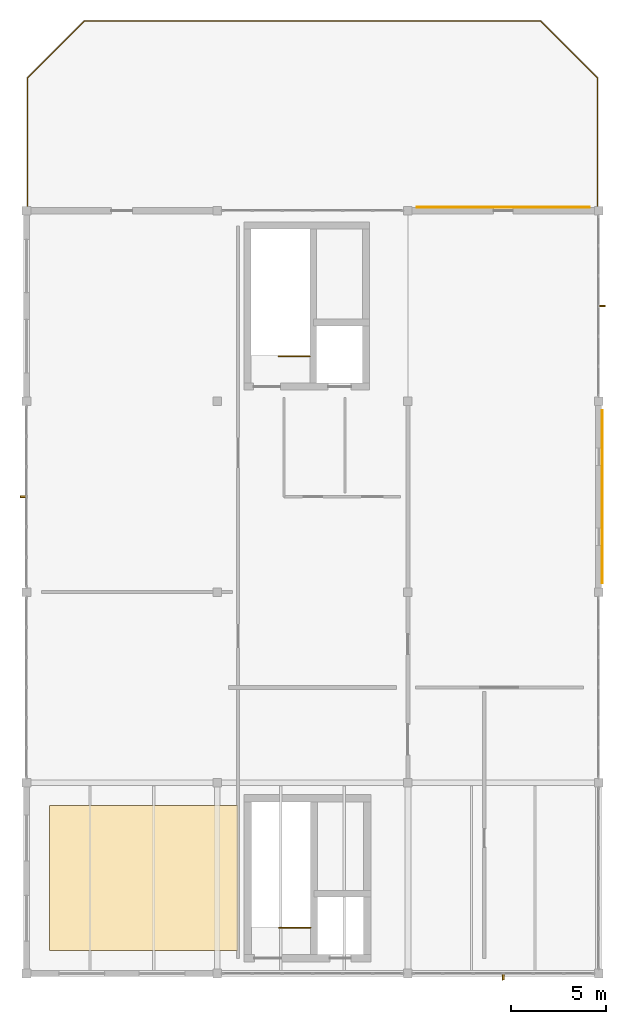
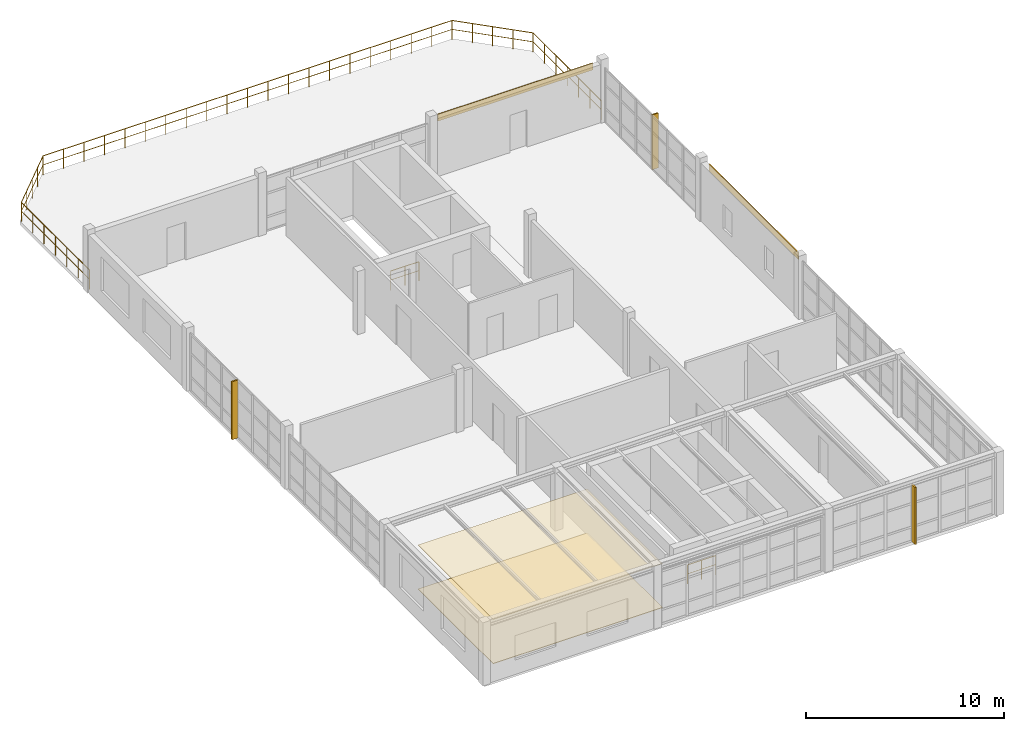
# One storey, part 11 of 11: 4 coverings, 3 railings, 3 shading devices.
"""IFC4 building model written with IfcOpenShell, lengths in metres."""

from ifc_helpers import new_model, si_unit, direction, frame, origin, origin_2d, place, context, subcontext, project, spatial, polyline, rectangle, circle, outline, extrude, material, layer, layer_set, type_object, element, save


model = new_model("IFC4")

# Units and contexts
model_context = context("Model", 3, precision=1e-05, world=origin(), true_north=direction((0.0, 1.0)))
body_context = subcontext(model_context, "Body", "Model", "MODEL_VIEW")
ifc_project = project(units=[si_unit("LENGTHUNIT", "METRE"), si_unit("AREAUNIT", "SQUARE_METRE"), si_unit("VOLUMEUNIT", "CUBIC_METRE"), si_unit("PLANEANGLEUNIT", "RADIAN"), si_unit("MASSUNIT", "GRAM", prefix="KILO"), si_unit("THERMODYNAMICTEMPERATUREUNIT", "KELVIN"), si_unit("POWERUNIT", "WATT")], contexts=[model_context])

# Site, building, storey
site_placement = place(None, origin())
site = spatial("IfcSite", under=ifc_project, at=site_placement, CompositionType="ELEMENT")
building_placement = place(site_placement, origin())
building = spatial("IfcBuilding", under=site, at=building_placement, Name="Korenveer Ferry Terminal", CompositionType="ELEMENT")
storey_placement = place(building_placement, frame((0.0, 0.0, 18.300048828125)))
storey = spatial("IfcBuildingStorey", under=building, at=storey_placement, Name="L04", CompositionType="ELEMENT", Elevation=18.300048828125)

# Coverings
ifc_material_1 = material(Name="Carved Belgian bluestone spandrel cladding", Category="masonry")
ifc_layer_1 = layer(ifc_material_1, 0.050048828125)
ifc_layer_set_1 = layer_set([ifc_layer_1], Name="Carved Belgian bluestone spandrel cladding")
covering_type_1 = type_object("IfcCoveringType", Name="ENV-COV-STONE", PredefinedType="CLADDING", material=ifc_layer_set_1)
covering_1_placement = place(storey_placement, frame((0.0, 0.0, 3.159912109375)))
element("IfcCovering", 1, at=covering_1_placement, inside=storey, type_object=covering_type_1, Name="Belgian bluestone spandrel band 26", PredefinedType="CLADDING", context=body_context, shape_type="SweptSolid", body=[
    extrude(outline(polyline([(20.47509765625, 60.155029296875), (29.52490234375, 60.155029296875), (29.52490234375, 60.205078125), (20.47509765625, 60.205078125), (20.47509765625, 60.155029296875)])), origin(), (0.0, 0.0, 1.0), 0.419921875),
])
covering_2_placement = place(storey_placement, frame((0.0, 0.0, 3.159912109375)))
element("IfcCovering", 2, at=covering_2_placement, inside=storey, type_object=covering_type_1, Name="Belgian bluestone spandrel band 27", PredefinedType="CLADDING", context=body_context, shape_type="SweptSolid", body=[
    extrude(outline(polyline([(30.155029296875, 40.47509765625), (30.205078125, 40.47509765625), (30.205078125, 49.52490234375), (30.155029296875, 49.52490234375), (30.155029296875, 40.47509765625)])), origin(), (0.0, 0.0, 1.0), 0.419921875),
])

# Railing
ifc_material_2 = material(Name="Galvanised steel terrace guardrail", Category="steel")
railing_type_1 = type_object("IfcRailingType", Name="ENV-RL-GRD120", PredefinedType="GUARDRAIL", material=ifc_material_2)
railing_1_placement = place(storey_placement, frame((29.949951171875, 60.050048828125, 0.0)))
element("IfcRailing", 3, at=railing_1_placement, inside=storey, type_object=railing_type_1, Name="Outdoor terrace balustrade 8", PredefinedType="GUARDRAIL", context=body_context, shape_type="SweptSolid", body=[
    extrude(circle(Radius=0.02392578125, at=origin_2d()), frame((0.0, 0.0, 1.17578125), z_axis=(0.0, 1.0, 0.0), x_axis=(-1.0, 0.0, 0.0)), (0.0, 0.0, 1.0), 6.89990234375),
    extrude(circle(Radius=0.01806640625, at=origin_2d()), frame((0.0, 0.0, 0.6240234375), z_axis=(0.0, 1.0, 0.0), x_axis=(-1.0, 0.0, 0.0)), (0.0, 0.0, 1.0), 6.89990234375),
    extrude(circle(Radius=0.02392578125, at=origin_2d()), frame((0.0, 6.89990234375, 1.17578125), z_axis=(-0.707106781187, 0.707106781187, 0.0), x_axis=(-0.707106781187, -0.707106781187, 0.0)), (0.0, 0.0, 1.0), 4.24267578125),
    extrude(circle(Radius=0.01806640625, at=origin_2d()), frame((0.0, 6.89990234375, 0.6240234375), z_axis=(-0.707106781187, 0.707106781187, 0.0), x_axis=(-0.707106781187, -0.707106781187, 0.0)), (0.0, 0.0, 1.0), 4.24267578125),
    extrude(circle(Radius=0.02392578125, at=origin_2d()), frame((-3.0, 9.89990234375, 1.17578125), z_axis=(-1.0, 0.0, 0.0), x_axis=(0.0, -1.0, 0.0)), (0.0, 0.0, 1.0), 23.89990234375),
    extrude(circle(Radius=0.01806640625, at=origin_2d()), frame((-3.0, 9.89990234375, 0.6240234375), z_axis=(-1.0, 0.0, 0.0), x_axis=(0.0, -1.0, 0.0)), (0.0, 0.0, 1.0), 23.89990234375),
    extrude(circle(Radius=0.02392578125, at=origin_2d()), frame((-26.89990234375, 9.89990234375, 1.17578125), z_axis=(-0.707106781187, -0.707106781187, 0.0), x_axis=(0.707106781187, -0.707106781187, 0.0)), (0.0, 0.0, 1.0), 4.24267578125),
    extrude(circle(Radius=0.01806640625, at=origin_2d()), frame((-26.89990234375, 9.89990234375, 0.6240234375), z_axis=(-0.707106781187, -0.707106781187, 0.0), x_axis=(0.707106781187, -0.707106781187, 0.0)), (0.0, 0.0, 1.0), 4.24267578125),
    extrude(circle(Radius=0.02392578125, at=origin_2d()), frame((-29.89990234375, 6.89990234375, 1.17578125), z_axis=(0.0, -1.0, 0.0), x_axis=(1.0, 0.0, 0.0)), (0.0, 0.0, 1.0), 6.89990234375),
    extrude(circle(Radius=0.01806640625, at=origin_2d()), frame((-29.89990234375, 6.89990234375, 0.6240234375), z_axis=(0.0, -1.0, 0.0), x_axis=(1.0, 0.0, 0.0)), (0.0, 0.0, 1.0), 6.89990234375),
    extrude(circle(Radius=0.02099609375, at=origin_2d()), origin(), (0.0, 0.0, 1.0), 1.15185546875),
    extrude(circle(Radius=0.02099609375, at=origin_2d()), frame((0.0, 1.14990234375, 0.0)), (0.0, 0.0, 1.0), 1.15185546875),
    extrude(circle(Radius=0.02099609375, at=origin_2d()), frame((0.0, 2.300048828125, 0.0)), (0.0, 0.0, 1.0), 1.15185546875),
    extrude(circle(Radius=0.02099609375, at=origin_2d()), frame((0.0, 3.449951171875, 0.0)), (0.0, 0.0, 1.0), 1.15185546875),
    extrude(circle(Radius=0.02099609375, at=origin_2d()), frame((0.0, 4.599853515625, 0.0)), (0.0, 0.0, 1.0), 1.15185546875),
    extrude(circle(Radius=0.02099609375, at=origin_2d()), frame((0.0, 5.75, 0.0)), (0.0, 0.0, 1.0), 1.15185546875),
    extrude(circle(Radius=0.02099609375, at=origin_2d()), frame((0.0, 6.89990234375, 0.0)), (0.0, 0.0, 1.0), 1.15185546875),
    extrude(circle(Radius=0.02099609375, at=origin_2d()), frame((-0.75, 7.64990234375, 0.0)), (0.0, 0.0, 1.0), 1.15185546875),
    extrude(circle(Radius=0.02099609375, at=origin_2d()), frame((-1.5, 8.39990234375, 0.0)), (0.0, 0.0, 1.0), 1.15185546875),
    extrude(circle(Radius=0.02099609375, at=origin_2d()), frame((-2.25, 9.14990234375, 0.0)), (0.0, 0.0, 1.0), 1.15185546875),
    extrude(circle(Radius=0.02099609375, at=origin_2d()), frame((-3.0, 9.89990234375, 0.0)), (0.0, 0.0, 1.0), 1.15185546875),
    extrude(circle(Radius=0.02099609375, at=origin_2d()), frame((-4.195068359375, 9.89990234375, 0.0)), (0.0, 0.0, 1.0), 1.15185546875),
    extrude(circle(Radius=0.02099609375, at=origin_2d()), frame((-5.389892578125, 9.89990234375, 0.0)), (0.0, 0.0, 1.0), 1.15185546875),
    extrude(circle(Radius=0.02099609375, at=origin_2d()), frame((-6.5849609375, 9.89990234375, 0.0)), (0.0, 0.0, 1.0), 1.15185546875),
    extrude(circle(Radius=0.02099609375, at=origin_2d()), frame((-7.780029296875, 9.89990234375, 0.0)), (0.0, 0.0, 1.0), 1.15185546875),
    extrude(circle(Radius=0.02099609375, at=origin_2d()), frame((-8.97509765625, 9.89990234375, 0.0)), (0.0, 0.0, 1.0), 1.15185546875),
    extrude(circle(Radius=0.02099609375, at=origin_2d()), frame((-10.169921875, 9.89990234375, 0.0)), (0.0, 0.0, 1.0), 1.15185546875),
    extrude(circle(Radius=0.02099609375, at=origin_2d()), frame((-11.364990234375, 9.89990234375, 0.0)), (0.0, 0.0, 1.0), 1.15185546875),
    extrude(circle(Radius=0.02099609375, at=origin_2d()), frame((-12.56005859375, 9.89990234375, 0.0)), (0.0, 0.0, 1.0), 1.15185546875),
    extrude(circle(Radius=0.02099609375, at=origin_2d()), frame((-13.7548828125, 9.89990234375, 0.0)), (0.0, 0.0, 1.0), 1.15185546875),
    extrude(circle(Radius=0.02099609375, at=origin_2d()), frame((-14.949951171875, 9.89990234375, 0.0)), (0.0, 0.0, 1.0), 1.15185546875),
    extrude(circle(Radius=0.02099609375, at=origin_2d()), frame((-16.14501953125, 9.89990234375, 0.0)), (0.0, 0.0, 1.0), 1.15185546875),
    extrude(circle(Radius=0.02099609375, at=origin_2d()), frame((-17.33984375, 9.89990234375, 0.0)), (0.0, 0.0, 1.0), 1.15185546875),
    extrude(circle(Radius=0.02099609375, at=origin_2d()), frame((-18.534912109375, 9.89990234375, 0.0)), (0.0, 0.0, 1.0), 1.15185546875),
    extrude(circle(Radius=0.02099609375, at=origin_2d()), frame((-19.72998046875, 9.89990234375, 0.0)), (0.0, 0.0, 1.0), 1.15185546875),
    extrude(circle(Radius=0.02099609375, at=origin_2d()), frame((-20.9248046875, 9.89990234375, 0.0)), (0.0, 0.0, 1.0), 1.15185546875),
    extrude(circle(Radius=0.02099609375, at=origin_2d()), frame((-22.119873046875, 9.89990234375, 0.0)), (0.0, 0.0, 1.0), 1.15185546875),
    extrude(circle(Radius=0.02099609375, at=origin_2d()), frame((-23.31494140625, 9.89990234375, 0.0)), (0.0, 0.0, 1.0), 1.15185546875),
    extrude(circle(Radius=0.02099609375, at=origin_2d()), frame((-24.510009765625, 9.89990234375, 0.0)), (0.0, 0.0, 1.0), 1.15185546875),
    extrude(circle(Radius=0.02099609375, at=origin_2d()), frame((-25.704833984375, 9.89990234375, 0.0)), (0.0, 0.0, 1.0), 1.15185546875),
    extrude(circle(Radius=0.02099609375, at=origin_2d()), frame((-26.89990234375, 9.89990234375, 0.0)), (0.0, 0.0, 1.0), 1.15185546875),
    extrude(circle(Radius=0.02099609375, at=origin_2d()), frame((-27.64990234375, 9.14990234375, 0.0)), (0.0, 0.0, 1.0), 1.15185546875),
    extrude(circle(Radius=0.02099609375, at=origin_2d()), frame((-28.39990234375, 8.39990234375, 0.0)), (0.0, 0.0, 1.0), 1.15185546875),
    extrude(circle(Radius=0.02099609375, at=origin_2d()), frame((-29.14990234375, 7.64990234375, 0.0)), (0.0, 0.0, 1.0), 1.15185546875),
    extrude(circle(Radius=0.02099609375, at=origin_2d()), frame((-29.89990234375, 6.89990234375, 0.0)), (0.0, 0.0, 1.0), 1.15185546875),
    extrude(circle(Radius=0.02099609375, at=origin_2d()), frame((-29.89990234375, 5.75, 0.0)), (0.0, 0.0, 1.0), 1.15185546875),
    extrude(circle(Radius=0.02099609375, at=origin_2d()), frame((-29.89990234375, 4.599853515625, 0.0)), (0.0, 0.0, 1.0), 1.15185546875),
    extrude(circle(Radius=0.02099609375, at=origin_2d()), frame((-29.89990234375, 3.449951171875, 0.0)), (0.0, 0.0, 1.0), 1.15185546875),
    extrude(circle(Radius=0.02099609375, at=origin_2d()), frame((-29.89990234375, 2.300048828125, 0.0)), (0.0, 0.0, 1.0), 1.15185546875),
    extrude(circle(Radius=0.02099609375, at=origin_2d()), frame((-29.89990234375, 1.14990234375, 0.0)), (0.0, 0.0, 1.0), 1.15185546875),
    extrude(circle(Radius=0.02099609375, at=origin_2d()), frame((-29.89990234375, 0.0, 0.0)), (0.0, 0.0, 1.0), 1.15185546875),
])

# Shading devices
ifc_material_3 = material(Name="Anodised bronze aluminium solar fin", Category="aluminium")
shading_device_type = type_object("IfcShadingDeviceType", Name="ENV-SHD-FIN", PredefinedType="JALOUSIE", material=ifc_material_3)
shading_device_1_placement = place(storey_placement, frame((25.0, 19.840087890625, -0.02001953125), z_axis=(0.0, 0.0, 1.0), x_axis=(0.0, 1.0, 0.0)))
element("IfcShadingDevice", 4, at=shading_device_1_placement, inside=storey, type_object=shading_device_type, Name="Gothic solar fin 64", PredefinedType="JALOUSIE", context=body_context, shape_type="SweptSolid", body=[
    extrude(rectangle(XDim=0.360107421875, YDim=0.080078125, at=origin_2d()), origin(), (0.0, 0.0, 1.0), 3.530029296875),
])
shading_device_2_placement = place(storey_placement, frame((-0.159912109375, 45.0, -0.02001953125), z_axis=(0.0, 0.0, 1.0), x_axis=(1.0, 0.0, 0.0)))
element("IfcShadingDevice", 5, at=shading_device_2_placement, inside=storey, type_object=shading_device_type, Name="Gothic solar fin 65", PredefinedType="JALOUSIE", context=body_context, shape_type="SweptSolid", body=[
    extrude(rectangle(XDim=0.360107421875, YDim=0.080078125, at=origin_2d()), origin(), (0.0, 0.0, 1.0), 3.580078125),
])
shading_device_3_placement = place(storey_placement, frame((30.159912109375, 55.0, -0.02001953125), z_axis=(0.0, 0.0, 1.0), x_axis=(1.0, 0.0, 0.0)))
element("IfcShadingDevice", 6, at=shading_device_3_placement, inside=storey, type_object=shading_device_type, Name="Gothic solar fin 66", PredefinedType="JALOUSIE", context=body_context, shape_type="SweptSolid", body=[
    extrude(rectangle(XDim=0.360107421875, YDim=0.080078125, at=origin_2d()), origin(), (0.0, 0.0, 1.0), 3.3798828125),
])

# Coverings
ifc_material_4 = material(Name="Mineral acoustic ceiling board", Category="other")
ifc_layer_2 = layer(ifc_material_4, 0.02490234375)
ifc_layer_set_2 = layer_set([ifc_layer_2], Name="Mineral acoustic ceiling board")
covering_type_2 = type_object("IfcCoveringType", Name="INT-COV-CEIL", PredefinedType="CEILING", material=ifc_layer_set_2)
covering_3_placement = place(storey_placement, frame((0.0, 0.0, 2.724853515625)))
element("IfcCovering", 7, at=covering_3_placement, inside=storey, type_object=covering_type_2, Name="Acoustic room ceiling 12", PredefinedType="CEILING", context=body_context, shape_type="SweptSolid", body=[
    extrude(outline(polyline([(1.199951171875, 21.199951171875), (11.10009765625, 21.199951171875), (11.10009765625, 28.800048828125), (1.199951171875, 28.800048828125), (1.199951171875, 21.199951171875)])), origin(), (0.0, 0.0, 1.0), 0.025146484375),
])
ifc_material_5 = material(Name="Polished terrazzo tile finish", Category="masonry")
ifc_layer_3 = layer(ifc_material_5, 0.030029296875)
ifc_layer_set_3 = layer_set([ifc_layer_3], Name="Polished terrazzo tile finish")
covering_type_3 = type_object("IfcCoveringType", Name="INT-COV-FLR", PredefinedType="FLOORING", material=ifc_layer_set_3)
covering_4_placement = place(storey_placement, origin())
element("IfcCovering", 8, at=covering_4_placement, inside=storey, type_object=covering_type_3, Name="Terrazzo floor finish 12", PredefinedType="FLOORING", context=body_context, shape_type="SweptSolid", body=[
    extrude(outline(polyline([(1.199951171875, 21.199951171875), (11.10009765625, 21.199951171875), (11.10009765625, 28.800048828125), (1.199951171875, 28.800048828125), (1.199951171875, 21.199951171875)])), origin(), (0.0, 0.0, 1.0), 0.030029296875),
])

# Railings
ifc_material_6 = material(Name="Painted steel stair guard", Category="steel")
railing_type_2 = type_object("IfcRailingType", Name="INT-RL-STGRD", PredefinedType="GUARDRAIL", material=ifc_material_6)
railing_2_placement = place(storey_placement, frame((14.89990234375, 22.39990234375, 0.0)))
element("IfcRailing", 9, at=railing_2_placement, inside=storey, type_object=railing_type_2, Name="L04 ST01 top well guard 1", PredefinedType="GUARDRAIL", context=body_context, shape_type="SweptSolid", body=[
    extrude(circle(Radius=0.02392578125, at=origin_2d()), frame((0.0, 0.0, 1.17578125), z_axis=(-1.0, 0.0, 0.0), x_axis=(0.0, -1.0, 0.0)), (0.0, 0.0, 1.0), 1.64990234375),
    extrude(circle(Radius=0.01806640625, at=origin_2d()), frame((0.0, 0.0, 0.6240234375), z_axis=(-1.0, 0.0, 0.0), x_axis=(0.0, -1.0, 0.0)), (0.0, 0.0, 1.0), 1.64990234375),
    extrude(circle(Radius=0.02099609375, at=origin_2d()), origin(), (0.0, 0.0, 1.0), 1.15185546875),
    extrude(circle(Radius=0.02099609375, at=origin_2d()), frame((-0.824951171875, 0.0, 0.0)), (0.0, 0.0, 1.0), 1.15185546875),
    extrude(circle(Radius=0.02099609375, at=origin_2d()), frame((-1.64990234375, 0.0, 0.0)), (0.0, 0.0, 1.0), 1.15185546875),
])
railing_3_placement = place(storey_placement, frame((14.860107421875, 52.360107421875, 0.0)))
element("IfcRailing", 10, at=railing_3_placement, inside=storey, type_object=railing_type_2, Name="L04 ST02 top well guard 1", PredefinedType="GUARDRAIL", context=body_context, shape_type="SweptSolid", body=[
    extrude(circle(Radius=0.02392578125, at=origin_2d()), frame((0.0, 0.0, 1.17578125), z_axis=(-1.0, 0.0, 0.0), x_axis=(0.0, -1.0, 0.0)), (0.0, 0.0, 1.0), 1.650146484375),
    extrude(circle(Radius=0.01806640625, at=origin_2d()), frame((0.0, 0.0, 0.6240234375), z_axis=(-1.0, 0.0, 0.0), x_axis=(0.0, -1.0, 0.0)), (0.0, 0.0, 1.0), 1.650146484375),
    extrude(circle(Radius=0.02099609375, at=origin_2d()), origin(), (0.0, 0.0, 1.0), 1.15185546875),
    extrude(circle(Radius=0.02099609375, at=origin_2d()), frame((-0.8251953125, 0.0, 0.0)), (0.0, 0.0, 1.0), 1.15185546875),
    extrude(circle(Radius=0.02099609375, at=origin_2d()), frame((-1.650146484375, 0.0, 0.0)), (0.0, 0.0, 1.0), 1.15185546875),
])

save(model, "model.ifc")
